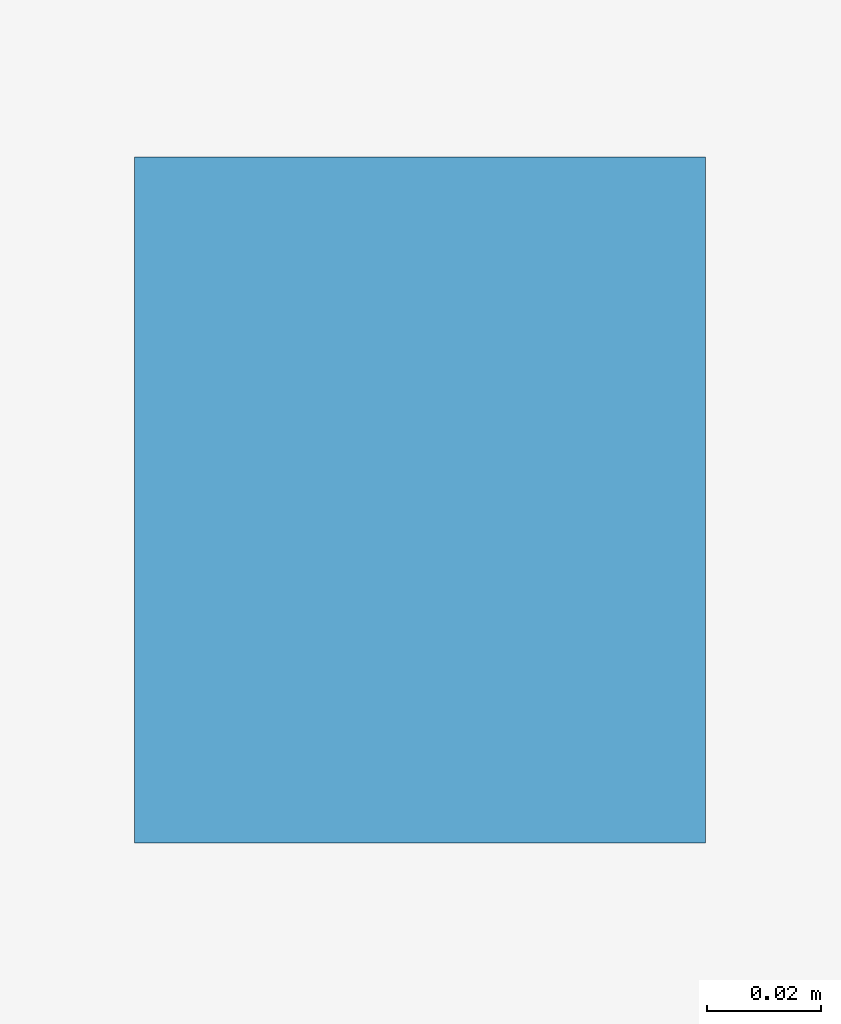
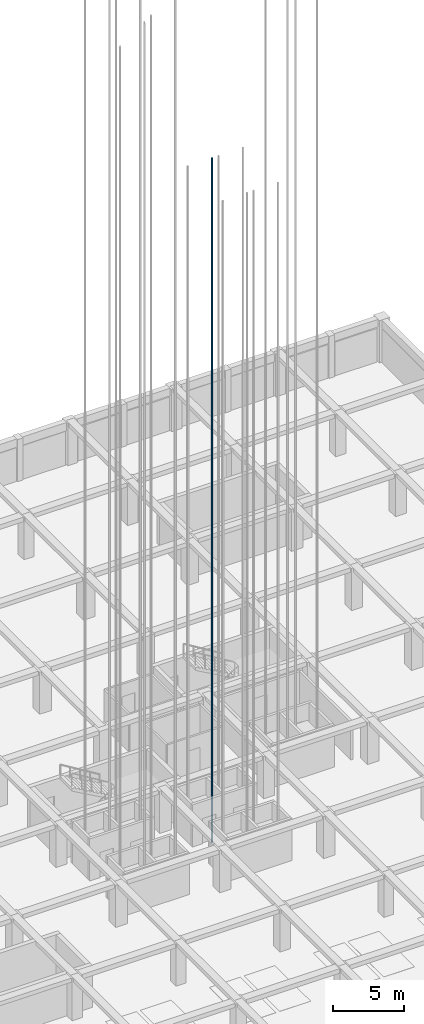
# One storey, part 38 of 47: 1 discrete accessory.
"""IFC4 building model written with IfcOpenShell, lengths in metres."""

from ifc_helpers import new_model, si_unit, direction, frame, origin, origin_2d, place, context, subcontext, project, spatial, rectangle, extrude, material, layer, layer_set, type_object, element, save


model = new_model("IFC4")

# Units and contexts
model_context = context("Model", 3, precision=1e-05, world=origin(), true_north=direction((0.0, 1.0)))
body_context = subcontext(model_context, "Body", "Model", "MODEL_VIEW")
ifc_project = project(units=[si_unit("LENGTHUNIT", "METRE"), si_unit("AREAUNIT", "SQUARE_METRE"), si_unit("VOLUMEUNIT", "CUBIC_METRE"), si_unit("PLANEANGLEUNIT", "RADIAN"), si_unit("MASSUNIT", "GRAM", prefix="KILO")], contexts=[model_context])

# Site, building, storey
site_placement = place(None, origin())
site = spatial("IfcSite", under=ifc_project, at=site_placement, CompositionType="ELEMENT")
building_placement = place(site_placement, origin())
building = spatial("IfcBuilding", under=site, at=building_placement, Name="Almacenes y Pasaje Nevantli", CompositionType="ELEMENT")
storey_placement = place(building_placement, frame((0.0, 0.0, -8.10009765625)))
storey = spatial("IfcBuildingStorey", under=building, at=storey_placement, Name="B02", CompositionType="ELEMENT", Elevation=-8.10009765625)

# Discrete accessory
ifc_material = material(Name="Steel ASTM A36", Category="steel")
ifc_layer = layer(ifc_material, 0.1201171875)
ifc_layer_set = layer_set([ifc_layer], Name="Steel ASTM A36")
discrete_accessory_type = type_object("IfcDiscreteAccessoryType", Name="ACC-LIFT-RAIL", PredefinedType="BRACKET", material=ifc_layer_set)
discrete_accessory_placement = place(storey_placement, frame((129.030029296875, 73.85009765625, -1.199951171875), z_axis=(0.0, 0.0, 1.0), x_axis=(1.0, 0.0, 0.0)))
element("IfcDiscreteAccessory", 1, at=discrete_accessory_placement, inside=storey, type_object=discrete_accessory_type, Name="Elevator Steel T-Section Guide Rail ELV-P03-E", PredefinedType="BRACKET", context=body_context, shape_type="SweptSolid", body=[
    extrude(rectangle(XDim=0.10009765625, YDim=0.1201171875, at=origin_2d()), origin(), (0.0, 0.0, 1.0), 58.5),
])

save(model, "model.ifc")
